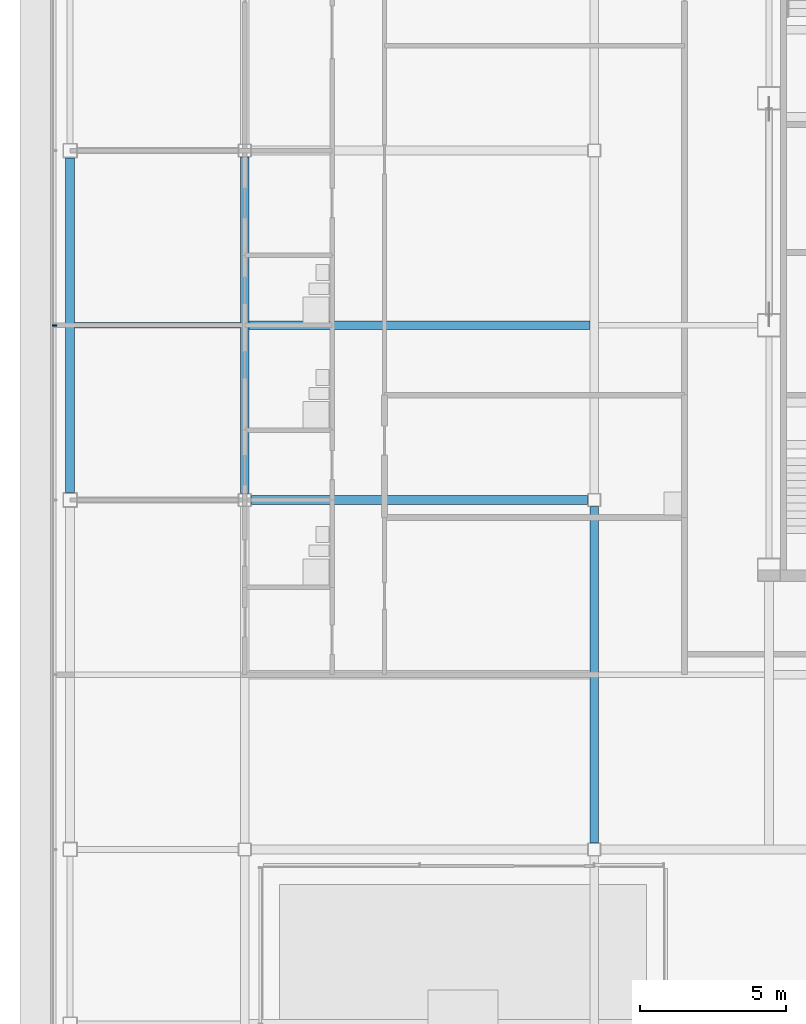
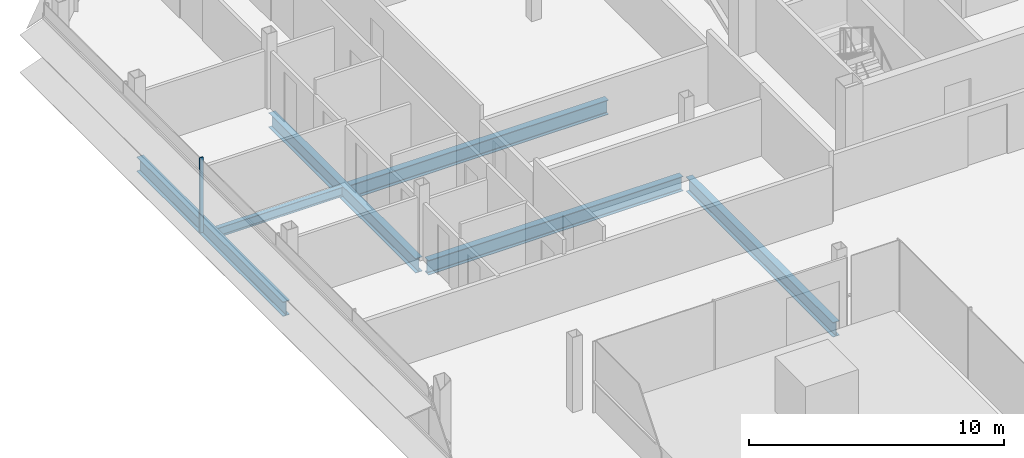
# One storey, part 8 of 31: 6 beams, 1 member, 1 element without a shape of its own.
"""IFC4 building model written with IfcOpenShell, lengths in metres."""

from ifc_helpers import new_model, si_unit, direction, frame, origin, origin_2d, place, context, subcontext, project, spatial, rectangle, i_section, extrude, material, material_profile, profile_set, type_object, element, aggregate, save


model = new_model("IFC4")

# Units and contexts
model_context = context("Model", 3, precision=1e-05, world=origin(), true_north=direction((0.0, 1.0)))
body_context = subcontext(model_context, "Body", "Model", "MODEL_VIEW")
ifc_project = project(units=[si_unit("LENGTHUNIT", "METRE"), si_unit("AREAUNIT", "SQUARE_METRE"), si_unit("VOLUMEUNIT", "CUBIC_METRE"), si_unit("PLANEANGLEUNIT", "RADIAN"), si_unit("MASSUNIT", "GRAM", prefix="KILO")], contexts=[model_context])

# Site, building, storey
site_placement = place(None, origin())
site = spatial("IfcSite", under=ifc_project, at=site_placement, CompositionType="ELEMENT")
building_placement = place(site_placement, origin())
building = spatial("IfcBuilding", under=site, at=building_placement, Name="Sorahane Residences", CompositionType="ELEMENT")
storey_placement = place(building_placement, frame((0.0, 0.0, 319.60009765625)))
storey = spatial("IfcBuildingStorey", under=building, at=storey_placement, Name="L76", CompositionType="ELEMENT", Elevation=319.60009765625)

# Curtain wall, member
ifc_material_1 = material(Name="Dark low-e glass and black anodised aluminium", Category="aluminium")
curtain_wall_type = type_object("IfcCurtainWallType", Name="Curtain wall CW-1 Typical unitised wall", PredefinedType="NOTDEFINED", material=ifc_material_1)
curtain_wall_placement = place(storey_placement, origin())
curtain_wall = element("IfcCurtainWall", 1, at=curtain_wall_placement, inside=storey, type_object=curtain_wall_type, Name="CW-1 curtain wall L76 W2", PredefinedType="NOTDEFINED")
ifc_material_2 = material(Name="Black anodised aluminium", Category="aluminium")
ifc_material_profile_1 = material_profile(ifc_material_2, rectangle(XDim=0.159912109375, YDim=0.050048828125, at=origin_2d()), Name="Curtain wall mullion CW-1 black anodised aluminium 50x160")
ifc_profile_set_1 = profile_set([ifc_material_profile_1], Name="Black anodised aluminium")
member_type = type_object("IfcMemberType", Name="Curtain wall mullion CW-1 black anodised aluminium 50x160", PredefinedType="MULLION", material=ifc_profile_set_1)
member_placement = place(storey_placement, frame((-18.5400390625, 30.0, -0.18017578125), z_axis=(0.0, 0.0, 1.0), x_axis=(-1.0, 0.0, 0.0)))
member = element("IfcMember", 2, at=member_placement, type_object=member_type, Name="CW-1 mullion L76 W2.3", PredefinedType="MULLION", context=body_context, shape_type="SweptSolid", body=[
    extrude(rectangle(XDim=0.159912109375, YDim=0.050048828125, at=origin_2d()), origin(), (0.0, 0.0, 1.0), 3.60009765625),
])
aggregate(curtain_wall, [member])

# Beams
ifc_material_3 = material(Name="Steel Q355B", Category="steel")
ifc_material_profile_2 = material_profile(ifc_material_3, i_section(OverallWidth=0.199951171875, OverallDepth=0.449951171875, WebThickness=0.009033203125, FlangeThickness=0.013916015625, FilletRadius=0.02001953125, at=origin_2d()), Name="HN 450x200x9x14")
ifc_profile_set_2 = profile_set([ifc_material_profile_2], Name="Steel Q355B")
beam_type_1 = type_object("IfcBeamType", Name="Steel floor beam HN 450x200x9x14 Q355B", PredefinedType="BEAM", material=ifc_profile_set_2)
beam_1_placement = place(storey_placement, frame((-17.85009765625, 30.0, -0.405029296875), z_axis=(1.0, 0.0, 0.0), x_axis=(0.0, 1.0, 0.0)))
element("IfcBeam", 3, at=beam_1_placement, inside=storey, type_object=beam_type_1, Name="Beam L76 081", PredefinedType="BEAM", context=body_context, shape_type="SweptSolid", body=[
    extrude(i_section(OverallWidth=0.199951171875, OverallDepth=0.449951171875, WebThickness=0.009033203125, FlangeThickness=0.013916015625, FilletRadius=0.02001953125, at=origin_2d()), origin(), (0.0, 0.0, 1.0), 5.7001953125),
])
ifc_material_4 = material(Name="Steel Q355B", Category="steel")
ifc_material_profile_3 = material_profile(ifc_material_4, i_section(OverallWidth=0.300048828125, OverallDepth=0.699951171875, WebThickness=0.012939453125, FlangeThickness=0.02392578125, FilletRadius=0.028076171875, at=origin_2d()), Name="HN 700x300x13x24")
ifc_profile_set_3 = profile_set([ifc_material_profile_3], Name="Steel Q355B")
beam_type_2 = type_object("IfcBeamType", Name="Steel floor beam HN 700x300x13x24 Q355B", PredefinedType="BEAM", material=ifc_profile_set_3)
beam_2_placement = place(storey_placement, frame((-11.77490234375, 24.0, -0.530029296875), z_axis=(1.0, 0.0, 0.0), x_axis=(0.0, 1.0, 0.0)))
element("IfcBeam", 4, at=beam_2_placement, inside=storey, type_object=beam_type_2, Name="Beam L76 012", PredefinedType="BEAM", context=body_context, shape_type="SweptSolid", body=[
    extrude(i_section(OverallWidth=0.300048828125, OverallDepth=0.699951171875, WebThickness=0.012939453125, FlangeThickness=0.02392578125, FilletRadius=0.028076171875, at=origin_2d()), origin(), (0.0, 0.0, 1.0), 11.5498046875),
])
beam_3_placement = place(storey_placement, frame((-18.0, 24.25, -0.530029296875), z_axis=(0.0, 1.0, 0.0), x_axis=(-1.0, 0.0, 0.0)))
element("IfcBeam", 5, at=beam_3_placement, inside=storey, type_object=beam_type_2, Name="Beam L76 022", PredefinedType="BEAM", context=body_context, shape_type="SweptSolid", body=[
    extrude(i_section(OverallWidth=0.300048828125, OverallDepth=0.699951171875, WebThickness=0.012939453125, FlangeThickness=0.02392578125, FilletRadius=0.028076171875, at=origin_2d()), origin(), (0.0, 0.0, 1.0), 11.5),
])
for number, where, z_axis, x_axis, name in (
    (6, (-12.0, 24.22509765625, -0.530029296875), (0.0, 1.0, 0.0), (-1.0, 0.0, 0.0), "Beam L76 026"),
    (7, (0.0, 12.22509765625, -0.530029296875), (0.0, 1.0, 0.0), (-1.0, 0.0, 0.0), "Beam L76 029"),
):
    element("IfcBeam", number, at=place(storey_placement, frame(where, z_axis=z_axis, x_axis=x_axis)), inside=storey, type_object=beam_type_2, Name=name, PredefinedType="BEAM", context=body_context, shape_type="SweptSolid", body=[
        extrude(i_section(OverallWidth=0.300048828125, OverallDepth=0.699951171875, WebThickness=0.012939453125, FlangeThickness=0.02392578125, FilletRadius=0.028076171875, at=origin_2d()), origin(), (0.0, 0.0, 1.0), 11.5498046875),
    ])
beam_4_placement = place(storey_placement, frame((-11.85009765625, 30.0, -0.530029296875), z_axis=(1.0, 0.0, 0.0), x_axis=(0.0, 1.0, 0.0)))
element("IfcBeam", 8, at=beam_4_placement, inside=storey, type_object=beam_type_2, Name="Beam L76 082", PredefinedType="BEAM", context=body_context, shape_type="SweptSolid", body=[
    extrude(i_section(OverallWidth=0.300048828125, OverallDepth=0.699951171875, WebThickness=0.012939453125, FlangeThickness=0.02392578125, FilletRadius=0.028076171875, at=origin_2d()), origin(), (0.0, 0.0, 1.0), 11.7001953125),
])

save(model, "model.ifc")
